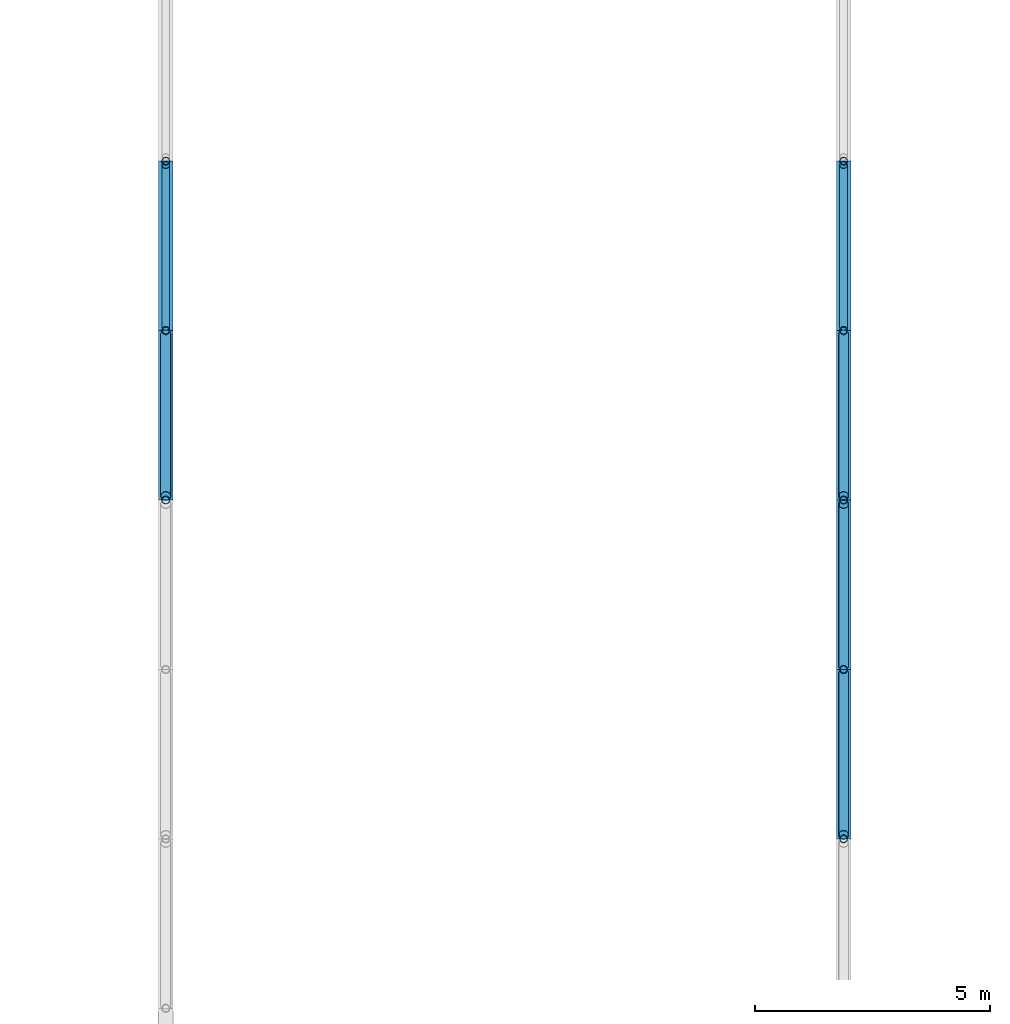
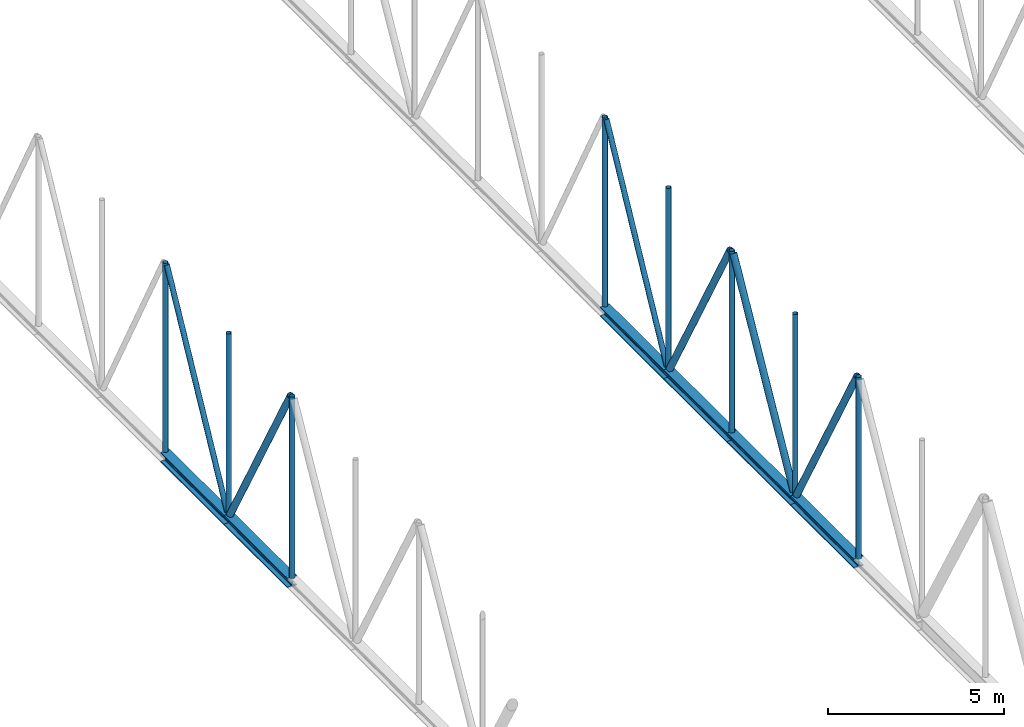
# One storey, part 59 of 142: 20 members.
"""IFC4 building model written with IfcOpenShell, lengths in metres."""

from ifc_helpers import new_model, si_unit, direction, frame, origin, origin_2d, place, context, subcontext, project, spatial, hollow_circle, i_section, extrude, material, material_profile, profile_set, type_object, element, save


model = new_model("IFC4")

# Units and contexts
model_context = context("Model", 3, precision=1e-05, world=origin(), true_north=direction((0.0, 1.0)))
body_context = subcontext(model_context, "Body", "Model", "MODEL_VIEW")
ifc_project = project(units=[si_unit("LENGTHUNIT", "METRE"), si_unit("AREAUNIT", "SQUARE_METRE"), si_unit("VOLUMEUNIT", "CUBIC_METRE"), si_unit("PLANEANGLEUNIT", "RADIAN"), si_unit("MASSUNIT", "GRAM", prefix="KILO")], contexts=[model_context])

# Site, building, storey
site_placement = place(None, origin())
site = spatial("IfcSite", under=ifc_project, at=site_placement, CompositionType="ELEMENT")
building_placement = place(site_placement, origin())
building = spatial("IfcBuilding", under=site, at=building_placement, Name="Kupolbacken Congress Centre", CompositionType="ELEMENT")
storey_placement = place(building_placement, frame((0.0, 0.0, 14.39990234375)))
storey = spatial("IfcBuildingStorey", under=building, at=storey_placement, Name="L04", CompositionType="ELEMENT", Elevation=14.39990234375)

# Members
ifc_material_1 = material(Name="Steel S355", Category="steel")
ifc_material_profile_1 = material_profile(ifc_material_1, i_section(OverallWidth=0.31005859375, OverallDepth=0.340087890625, WebThickness=0.02099609375, FlangeThickness=0.0390625, FilletRadius=0.027099609375, at=origin_2d()), Name="HEM 300")
ifc_profile_set_1 = profile_set([ifc_material_profile_1], Name="Steel S355")
member_type_1 = type_object("IfcMemberType", Name="M01 transfer truss chord HEM 300", PredefinedType="CHORD", material=ifc_profile_set_1)
for number, where, z_axis, x_axis, name in (
    (1, (151.199951171875, 68.39990234375, 0.16015625), (0.0, 1.0, 0.0), (-1.0, 0.0, 0.0), "HT/T5/BC08"),
    (2, (151.199951171875, 72.0, 0.16015625), (0.0, 1.0, 0.0), (-1.0, 0.0, 0.0), "HT/T5/BC09"),
    (3, (165.60009765625, 61.199951171875, 0.16015625), (0.0, 1.0, 0.0), (-1.0, 0.0, 0.0), "HT/T6/BC06"),
):
    element("IfcMember", number, at=place(storey_placement, frame(where, z_axis=z_axis, x_axis=x_axis)), inside=storey, type_object=member_type_1, Name=name, PredefinedType="CHORD", context=body_context, shape_type="SweptSolid", body=[
        extrude(i_section(OverallWidth=0.31005859375, OverallDepth=0.340087890625, WebThickness=0.02099609375, FlangeThickness=0.0390625, FilletRadius=0.027099609375, at=origin_2d()), origin(), (0.0, 0.0, 1.0), 3.60009765625),
    ])
member_1_placement = place(storey_placement, frame((165.60009765625, 64.800048828125, 0.16015625), z_axis=(0.0, 1.0, 0.0), x_axis=(-1.0, 0.0, 0.0)))
element("IfcMember", 4, at=member_1_placement, inside=storey, type_object=member_type_1, Name="HT/T6/BC07", PredefinedType="CHORD", context=body_context, shape_type="SweptSolid", body=[
    extrude(i_section(OverallWidth=0.31005859375, OverallDepth=0.340087890625, WebThickness=0.02099609375, FlangeThickness=0.0390625, FilletRadius=0.027099609375, at=origin_2d()), origin(), (0.0, 0.0, 1.0), 3.599853515625),
])
for number, where, z_axis, x_axis, name in (
    (5, (165.60009765625, 68.39990234375, 0.16015625), (0.0, 1.0, 0.0), (-1.0, 0.0, 0.0), "HT/T6/BC08"),
    (6, (165.60009765625, 72.0, 0.16015625), (0.0, 1.0, 0.0), (-1.0, 0.0, 0.0), "HT/T6/BC09"),
):
    element("IfcMember", number, at=place(storey_placement, frame(where, z_axis=z_axis, x_axis=x_axis)), inside=storey, type_object=member_type_1, Name=name, PredefinedType="CHORD", context=body_context, shape_type="SweptSolid", body=[
        extrude(i_section(OverallWidth=0.31005859375, OverallDepth=0.340087890625, WebThickness=0.02099609375, FlangeThickness=0.0390625, FilletRadius=0.027099609375, at=origin_2d()), origin(), (0.0, 0.0, 1.0), 3.60009765625),
    ])
ifc_material_2 = material(Name="Steel S355", Category="steel")
ifc_material_profile_2 = material_profile(ifc_material_2, hollow_circle(Radius=0.109619140625, WallThickness=0.010009765625, at=origin_2d()), Name="CHS 219.1 x 10")
ifc_profile_set_2 = profile_set([ifc_material_profile_2], Name="Steel S355")
member_type_2 = type_object("IfcMemberType", Name="M05 transfer truss web CHS 219.1 x 10", PredefinedType="BRACE", material=ifc_profile_set_2)
for number, where, z_axis, x_axis, name in (
    (7, (151.199951171875, 68.484130859375, 6.5576171875), (0.0, 0.48517101949, -0.874419282637), (-1.0, 0.0, 0.0), "HT/T5/D08"),
    (8, (165.60009765625, 61.2841796875, 6.5576171875), (0.0, 0.48517101949, -0.874419282637), (-1.0, 0.0, 0.0), "HT/T6/D06"),
):
    element("IfcMember", number, at=place(storey_placement, frame(where, z_axis=z_axis, x_axis=x_axis)), inside=storey, type_object=member_type_2, Name=name, PredefinedType="BRACE", context=body_context, shape_type="SweptSolid", body=[
        extrude(hollow_circle(Radius=0.109619140625, WallThickness=0.010009765625, at=origin_2d()), origin(), (0.0, 0.0, 1.0), 7.072998046875),
    ])
member_2_placement = place(storey_placement, frame((165.60009765625, 64.884033203125, 0.372802734375), z_axis=(0.0, 0.485197410842, 0.87440463889), x_axis=(-1.0, 0.0, 0.0)))
element("IfcMember", 9, at=member_2_placement, inside=storey, type_object=member_type_2, Name="HT/T6/D07", PredefinedType="BRACE", context=body_context, shape_type="SweptSolid", body=[
    extrude(hollow_circle(Radius=0.109619140625, WallThickness=0.010009765625, at=origin_2d()), origin(), (0.0, 0.0, 1.0), 7.0732421875),
])
member_3_placement = place(storey_placement, frame((165.60009765625, 68.484130859375, 6.5576171875), z_axis=(0.0, 0.48517101949, -0.874419282637), x_axis=(-1.0, 0.0, 0.0)))
element("IfcMember", 10, at=member_3_placement, inside=storey, type_object=member_type_2, Name="HT/T6/D08", PredefinedType="BRACE", context=body_context, shape_type="SweptSolid", body=[
    extrude(hollow_circle(Radius=0.109619140625, WallThickness=0.010009765625, at=origin_2d()), origin(), (0.0, 0.0, 1.0), 7.072998046875),
])
ifc_material_3 = material(Name="Steel S355", Category="steel")
ifc_material_profile_3 = material_profile(ifc_material_3, hollow_circle(Radius=0.084228515625, WallThickness=0.008056640625, at=origin_2d()), Name="CHS 168.3 x 8")
ifc_profile_set_3 = profile_set([ifc_material_profile_3], Name="Steel S355")
member_type_3 = type_object("IfcMemberType", Name="M06 transfer truss web CHS 168.3 x 8", PredefinedType="BRACE", material=ifc_profile_set_3)
for number, where, z_axis, x_axis, name in (
    (11, (151.199951171875, 72.084228515625, 0.359130859375), (0.0, 0.468455727838, 0.883486972771), (-1.0, 0.0, 0.0), "HT/T5/D09"),
    (12, (165.60009765625, 72.084228515625, 0.359130859375), (0.0, 0.468455727838, 0.883486972771), (-1.0, 0.0, 0.0), "HT/T6/D09"),
):
    element("IfcMember", number, at=place(storey_placement, frame(where, z_axis=z_axis, x_axis=x_axis)), inside=storey, type_object=member_type_3, Name=name, PredefinedType="BRACE", context=body_context, shape_type="SweptSolid", body=[
        extrude(hollow_circle(Radius=0.084228515625, WallThickness=0.008056640625, at=origin_2d()), origin(), (0.0, 0.0, 1.0), 7.325439453125),
    ])
ifc_material_4 = material(Name="Steel S355", Category="steel")
ifc_material_profile_4 = material_profile(ifc_material_4, hollow_circle(Radius=0.084228515625, WallThickness=0.008056640625, at=origin_2d()), Name="CHS 168.3 x 8")
ifc_profile_set_4 = profile_set([ifc_material_profile_4], Name="Steel S355")
member_type_4 = type_object("IfcMemberType", Name="M20 transfer truss post CHS 168.3 x 8", PredefinedType="STRUT", material=ifc_profile_set_4)
for number, where, z_axis, x_axis, name in (
    (13, (151.199951171875, 68.39990234375, 0.320068359375), (0.0, 0.0, 1.0), (0.0, 1.0, 0.0), "HT/T5/P07"),
    (14, (151.199951171875, 72.0, 0.320068359375), (0.0, 0.0, 1.0), (0.0, 1.0, 0.0), "HT/T5/P08"),
):
    element("IfcMember", number, at=place(storey_placement, frame(where, z_axis=z_axis, x_axis=x_axis)), inside=storey, type_object=member_type_4, Name=name, PredefinedType="STRUT", context=body_context, shape_type="SweptSolid", body=[
        extrude(hollow_circle(Radius=0.084228515625, WallThickness=0.008056640625, at=origin_2d()), origin(), (0.0, 0.0, 1.0), 6.2900390625),
    ])
member_4_placement = place(storey_placement, frame((151.199951171875, 75.60009765625, 0.320068359375), z_axis=(0.0, 0.0, 1.0), x_axis=(0.0, 1.0, 0.0)))
element("IfcMember", 15, at=member_4_placement, inside=storey, type_object=member_type_4, Name="HT/T5/P09", PredefinedType="STRUT", context=body_context, shape_type="SweptSolid", body=[
    extrude(hollow_circle(Radius=0.084228515625, WallThickness=0.008056640625, at=origin_2d()), origin(), (0.0, 0.0, 1.0), 6.550048828125),
])
for number, where, z_axis, x_axis, name in (
    (16, (165.60009765625, 61.199951171875, 0.320068359375), (0.0, 0.0, 1.0), (0.0, 1.0, 0.0), "HT/T6/P05"),
    (17, (165.60009765625, 64.800048828125, 0.320068359375), (0.0, 0.0, 1.0), (0.0, 1.0, 0.0), "HT/T6/P06"),
    (18, (165.60009765625, 68.39990234375, 0.320068359375), (0.0, 0.0, 1.0), (0.0, 1.0, 0.0), "HT/T6/P07"),
    (19, (165.60009765625, 72.0, 0.320068359375), (0.0, 0.0, 1.0), (0.0, 1.0, 0.0), "HT/T6/P08"),
):
    element("IfcMember", number, at=place(storey_placement, frame(where, z_axis=z_axis, x_axis=x_axis)), inside=storey, type_object=member_type_4, Name=name, PredefinedType="STRUT", context=body_context, shape_type="SweptSolid", body=[
        extrude(hollow_circle(Radius=0.084228515625, WallThickness=0.008056640625, at=origin_2d()), origin(), (0.0, 0.0, 1.0), 6.2900390625),
    ])
member_5_placement = place(storey_placement, frame((165.60009765625, 75.60009765625, 0.320068359375), z_axis=(0.0, 0.0, 1.0), x_axis=(0.0, 1.0, 0.0)))
element("IfcMember", 20, at=member_5_placement, inside=storey, type_object=member_type_4, Name="HT/T6/P09", PredefinedType="STRUT", context=body_context, shape_type="SweptSolid", body=[
    extrude(hollow_circle(Radius=0.084228515625, WallThickness=0.008056640625, at=origin_2d()), origin(), (0.0, 0.0, 1.0), 6.550048828125),
])

save(model, "model.ifc")
